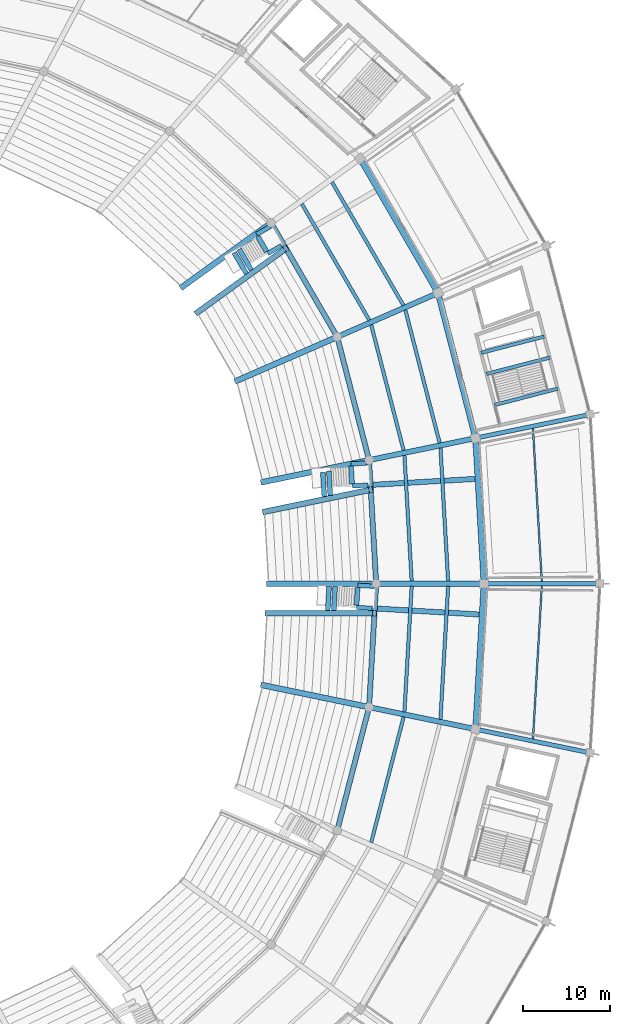
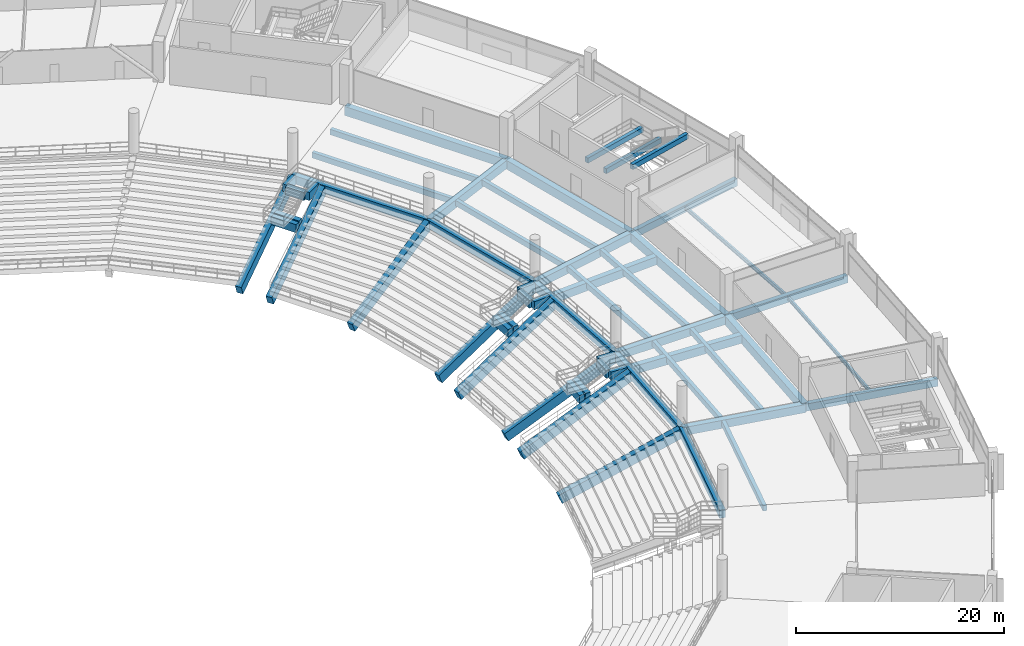
# One storey, part 58 of 156: 55 beams.
"""IFC4 building model written with IfcOpenShell, lengths in metres."""

import ifcopenshell
import ifcopenshell.guid

model = None  # the IFC model being written
_history = None  # IfcOwnerHistory: only IFC2X3 demands one
_inside = {}  # id of a spatial element -> (the spatial element, [elements in it])
_under = {}  # id of a project, library or spatial element -> (it, [spatial elements below it])
_declared = {}  # id of a project -> (the project, [libraries it declares])
_typed = {}  # id of a type object -> (the type object, [elements of that type])
_made_of = {}  # id of a material, layer set ... -> (it, [elements and type objects made of it])


def new_model(schema):
    """Start an empty IFC model of exactly this schema.

    Asked for "IFC4X3", IfcOpenShell would pick the latest addendum, in which some entities
    have other attributes; the version numbers below select the first issue.
    IFC2X3 requires an IfcOwnerHistory on every rooted entity: one is made here for all.
    """
    global model, _history
    if schema == "IFC4X3":
        model = ifcopenshell.file(schema_version=(4, 3, 0, 0))
    else:
        model = ifcopenshell.file(schema=schema)
    _inside.clear()
    _under.clear()
    _declared.clear()
    _typed.clear()
    _made_of.clear()
    _history = None
    if model.schema == "IFC2X3":
        org = make("IfcOrganization", Name="unknown")
        user = make(
            "IfcPersonAndOrganization",
            ThePerson=make("IfcPerson", FamilyName="unknown"),
            TheOrganization=org,
        )
        app = make(
            "IfcApplication",
            ApplicationDeveloper=org,
            Version="unknown",
            ApplicationFullName="unknown",
            ApplicationIdentifier="unknown",
        )
        _history = make(
            "IfcOwnerHistory",
            OwningUser=user,
            OwningApplication=app,
            ChangeAction="ADDED",
            CreationDate=0,
        )
    return model


def make(cls, **values):
    """One entity of the class cls with the attributes given. An attribute that is None is left unset."""
    return model.create_entity(
        cls, **{name: value for name, value in values.items() if value is not None}
    )


def rooted(cls, **values):
    """An entity with a GlobalId (a new one), such as an element, a storey or a relation."""
    return make(cls, GlobalId=ifcopenshell.guid.new(), OwnerHistory=_history, **values)


def si_unit(unit_type, name, prefix=None):
    """IfcSIUnit, for example si_unit("LENGTHUNIT", "METRE", prefix="MILLI")."""
    return make("IfcSIUnit", UnitType=unit_type, Prefix=prefix, Name=name)


def assignment(units):
    """IfcUnitAssignment: the units of a project."""
    return None if units is None else make("IfcUnitAssignment", Units=units)


def point(xyz):
    """IfcCartesianPoint."""
    return None if xyz is None else make("IfcCartesianPoint", Coordinates=xyz)


def direction(xyz):
    """IfcDirection."""
    return None if xyz is None else make("IfcDirection", DirectionRatios=xyz)


def frame(location, z_axis=None, x_axis=None):
    """IfcAxis2Placement3D, a coordinate frame: its origin and axes. An axis left out is left unset."""
    return make(
        "IfcAxis2Placement3D",
        Location=point(location),
        Axis=direction(z_axis),
        RefDirection=direction(x_axis),
    )


def frame_2d(location, x_axis=None):
    """IfcAxis2Placement2D, a coordinate frame in the plane: its origin and x axis."""
    return make(
        "IfcAxis2Placement2D", Location=point(location), RefDirection=direction(x_axis)
    )


def origin():
    """The frame at (0, 0, 0) with its axes left unset."""
    return frame((0.0, 0.0, 0.0))


def origin_2d():
    """The frame at (0, 0) in the plane with its x axis left unset."""
    return frame_2d((0.0, 0.0))


def place(relative_to, where):
    """IfcLocalPlacement: puts the frame where relative to a parent placement (None: the world)."""
    return make(
        "IfcLocalPlacement", PlacementRelTo=relative_to, RelativePlacement=where
    )


def context(
    kind, dimensions, precision=None, world=None, true_north=None, identifier=None
):
    """IfcGeometricRepresentationContext, for example the 3D "Model" context."""
    return make(
        "IfcGeometricRepresentationContext",
        ContextIdentifier=identifier,
        ContextType=kind,
        CoordinateSpaceDimension=dimensions,
        Precision=precision,
        WorldCoordinateSystem=world,
        TrueNorth=true_north,
    )


def subcontext(parent, identifier, kind, view, scale=None):
    """IfcGeometricRepresentationSubContext, for example "Body" below "Model"."""
    return make(
        "IfcGeometricRepresentationSubContext",
        ContextIdentifier=identifier,
        ContextType=kind,
        ParentContext=parent,
        TargetScale=scale,
        TargetView=view,
    )


def project(units=None, contexts=None):
    """IfcProject with its units and contexts."""
    return rooted(
        "IfcProject",
        Name="project",
        RepresentationContexts=contexts,
        UnitsInContext=assignment(units),
    )


def spatial(cls, under=None, at=None, **own):
    """A site, building, storey or space (cls), placed at a placement, below another one or the project."""
    s = rooted(cls, ObjectPlacement=at, **own)
    if under is not None:
        _under.setdefault(under.id(), (under, []))[1].append(s)
    return s


def profile(cls, at=None, kind="AREA", **sizes):
    """A parametric profile (cls). Its sizes go by their IFC names, for example OverallWidth=200.0."""
    return make(cls, ProfileType=kind, Position=at, **sizes)


def rectangle(**sizes):
    """IfcRectangleProfileDef."""
    return profile("IfcRectangleProfileDef", **sizes)


def i_section(**sizes):
    """IfcIShapeProfileDef."""
    return profile("IfcIShapeProfileDef", **sizes)


def extrude(swept, where, along, depth):
    """IfcExtrudedAreaSolid: the profile swept, set in the frame where, extruded along a direction by depth."""
    return make(
        "IfcExtrudedAreaSolid",
        SweptArea=swept,
        Position=where,
        ExtrudedDirection=direction(along),
        Depth=depth,
    )


def shape(context_of_items, identifier, shape_type, items):
    """IfcShapeRepresentation: the items that make up one representation, for example the "Body"."""
    return make(
        "IfcShapeRepresentation",
        ContextOfItems=context_of_items,
        RepresentationIdentifier=identifier,
        RepresentationType=shape_type,
        Items=items,
    )


def material(Name=None, Category=None):
    """IfcMaterial."""
    return make("IfcMaterial", Name=Name, Category=Category)


def material_profile(
    of_material, cross_section, Name=None, Category=None, Priority=None
):
    """IfcMaterialProfile: a cross section and its material."""
    return make(
        "IfcMaterialProfile",
        Name=Name,
        Material=of_material,
        Profile=cross_section,
        Priority=Priority,
        Category=Category,
    )


def profile_set(profiles, Name=None, composite=None):
    """IfcMaterialProfileSet."""
    return make(
        "IfcMaterialProfileSet",
        Name=Name,
        MaterialProfiles=profiles,
        CompositeProfile=composite,
    )


def made_of(thing, what):
    """Note that an element or type object is made of a material, layer set ...; save() writes the relation."""
    if what is not None:
        _made_of.setdefault(what.id(), (what, []))[1].append(thing)
    return thing


def type_object(cls, material=None, **own):
    """A type object (cls), such as IfcWallType, which elements share."""
    return made_of(rooted(cls, **own), material)


def element(
    cls,
    number,
    at=None,
    inside=None,
    cuts=None,
    type_object=None,
    material=None,
    context=None,
    identifier="Body",
    shape_type=None,
    held_by="IfcProductDefinitionShape",
    body=None,
    shapes=None,
    **own,
):
    """One element of the class cls, such as IfcWall. Its Tag is "e" and its number.

    at: its placement. inside: the storey or other place that contains it. cuts: it is an
    opening in that element (IfcRelVoidsElement). A single representation is given by context,
    identifier, shape_type and body (its items); several are given by shapes. held_by: the class
    of the entity that holds the representations. save() writes the other relations.
    """
    e = rooted(cls, Tag="e%d" % number, ObjectPlacement=at, **own)
    if body is not None:
        shapes = [shape(context, identifier, shape_type, body)]
    if shapes is not None:
        e.Representation = make(held_by, Representations=shapes)
    if inside is not None:
        _inside.setdefault(inside.id(), (inside, []))[1].append(e)
    if cuts is not None:
        rooted(
            "IfcRelVoidsElement", RelatingBuildingElement=cuts, RelatedOpeningElement=e
        )
    if type_object is not None:
        _typed.setdefault(type_object.id(), (type_object, []))[1].append(e)
    return made_of(e, material)


def aggregate(whole, parts):
    """IfcRelAggregates: a whole, such as a stair, and the parts it consists of."""
    return rooted("IfcRelAggregates", RelatingObject=whole, RelatedObjects=parts)


def save(model, path):
    """Write the relations noted so far, then the file.

    IfcRelAggregates (storeys below a building ...), IfcRelContainedInSpatialStructure (elements
    in a storey), IfcRelDefinesByType, IfcRelAssociatesMaterial and IfcRelDeclares: one each for
    every whole, place, type object, material and project.
    """
    for whole, parts in _under.values():
        aggregate(whole, parts)
    for where, things in _inside.values():
        rooted(
            "IfcRelContainedInSpatialStructure",
            RelatedElements=things,
            RelatingStructure=where,
        )
    for kind, things in _typed.values():
        rooted("IfcRelDefinesByType", RelatedObjects=things, RelatingType=kind)
    for what, things in _made_of.values():
        rooted("IfcRelAssociatesMaterial", RelatedObjects=things, RelatingMaterial=what)
    for by, libraries in _declared.values():
        rooted("IfcRelDeclares", RelatingContext=by, RelatedDefinitions=libraries)
    model.write(path)


model = new_model("IFC4")

# Units and contexts
model_context = context("Model", 3, precision=1e-05, world=origin(), true_north=direction((0.0, 1.0)))
body_context = subcontext(model_context, "Body", "Model", "MODEL_VIEW")
ifc_project = project(units=[si_unit("LENGTHUNIT", "METRE"), si_unit("AREAUNIT", "SQUARE_METRE"), si_unit("VOLUMEUNIT", "CUBIC_METRE"), si_unit("PLANEANGLEUNIT", "RADIAN"), si_unit("MASSUNIT", "GRAM", prefix="KILO")], contexts=[model_context])

# Site, building, storey
site_placement = place(None, origin())
site = spatial("IfcSite", under=ifc_project, at=site_placement, CompositionType="ELEMENT")
building_placement = place(site_placement, origin())
building = spatial("IfcBuilding", under=site, at=building_placement, Name="Kazemori Nagisa Stadium", CompositionType="ELEMENT")
storey_placement = place(building_placement, frame((0.0, 0.0, 5.780029296875)))
storey = spatial("IfcBuildingStorey", under=building, at=storey_placement, Name="L01", CompositionType="ELEMENT", Elevation=5.780029296875)

# Beams
ifc_material_1 = material(Name="Concrete C40/50 (Fc42)", Category="concrete")
ifc_material_profile_1 = material_profile(ifc_material_1, rectangle(XDim=0.39990234375, YDim=0.60009765625, at=origin_2d()), Name="RC-BM-400x600")
ifc_profile_set_1 = profile_set([ifc_material_profile_1], Name="Concrete C40/50 (Fc42)")
beam_type_1 = type_object("IfcBeamType", Name="Beam_BG-LND400X600", PredefinedType="BEAM", material=ifc_profile_set_1)
beam_1_placement = place(storey_placement, frame((205.001953125, 126.04150390625, 1.8798828125), z_axis=(0.968260482475, 0.249943269717, 0.0), x_axis=(-0.249943269717, 0.968260482475, 0.0)))
element("IfcBeam", 1, at=beam_1_placement, inside=storey, type_object=beam_type_1, Name="Core stair mid-landing girder ST07-L01-1", PredefinedType="BEAM", context=body_context, shape_type="SweptSolid", body=[
    extrude(rectangle(XDim=0.39990234375, YDim=0.60009765625, at=origin_2d()), origin(), (0.0, 0.0, 1.0), 7.468505859375),
])
beam_2_placement = place(storey_placement, frame((204.377197265625, 128.462158203125, 1.8798828125), z_axis=(0.968258440217, 0.24995118113, 0.0), x_axis=(-0.24995118113, 0.968258440217, 0.0)))
element("IfcBeam", 2, at=beam_2_placement, inside=storey, type_object=beam_type_1, Name="Core stair mid-landing girder ST07-L01-2", PredefinedType="BEAM", context=body_context, shape_type="SweptSolid", body=[
    extrude(rectangle(XDim=0.39990234375, YDim=0.60009765625, at=origin_2d()), origin(), (0.0, 0.0, 1.0), 7.46826171875),
])
beam_3_placement = place(storey_placement, frame((205.920654296875, 122.483154296875, 4.199951171875), z_axis=(0.968252570883, 0.249973916595, 0.0), x_axis=(-0.249973916595, 0.968252570883, 0.0)))
element("IfcBeam", 3, at=beam_3_placement, inside=storey, type_object=beam_type_1, Name="Core stair arrival header girder ST07-L01", PredefinedType="BEAM", context=body_context, shape_type="SweptSolid", body=[
    extrude(rectangle(XDim=0.39990234375, YDim=0.60009765625, at=origin_2d()), origin(), (0.0, 0.0, 1.0), 7.468505859375),
])
ifc_material_profile_2 = material_profile(ifc_material_1, rectangle(XDim=0.5, YDim=0.85009765625, at=origin_2d()), Name="RC-BM-500x850")
ifc_profile_set_2 = profile_set([ifc_material_profile_2], Name="Concrete C40/50 (Fc42)")
beam_type_2 = type_object("IfcBeamType", Name="Beam_BG-RC500X850", PredefinedType="BEAM", material=ifc_profile_set_2)
beam_4_placement = place(storey_placement, frame((204.699951171875, 102.0, -0.705078125), z_axis=(1.0, 0.0, 0.0), x_axis=(0.0, 1.0, 0.0)))
element("IfcBeam", 4, at=beam_4_placement, inside=storey, type_object=beam_type_2, Name="Radial girder BG-RC500X850 L01 R2-R3-01", PredefinedType="BEAM", context=body_context, shape_type="SweptSolid", body=[
    extrude(rectangle(XDim=0.5, YDim=0.85009765625, at=origin_2d()), origin(), (0.0, 0.0, 1.0), 13.300048828125),
])
for number, where, z_axis, x_axis, name in (
    (5, (203.737548828125, 118.68212890625, -0.705078125), (0.979315516463, 0.202339119339, 0.0), (-0.202339119339, 0.979315516463, 0.0), "Radial girder BG-RC500X850 L01 R2-R3-02"),
    (6, (203.737548828125, 85.31787109375, -0.705078125), (0.979315516463, -0.202339119339, 0.0), (0.202339119339, 0.979315516463, 0.0), "Radial girder BG-RC500X850 L01 R2-R3-28"),
):
    element("IfcBeam", number, at=place(storey_placement, frame(where, z_axis=z_axis, x_axis=x_axis)), inside=storey, type_object=beam_type_2, Name=name, PredefinedType="BEAM", context=body_context, shape_type="SweptSolid", body=[
        extrude(rectangle(XDim=0.5, YDim=0.85009765625, at=origin_2d()), origin(), (0.0, 0.0, 1.0), 13.4208984375),
    ])
ifc_material_profile_3 = material_profile(ifc_material_1, rectangle(XDim=0.60009765625, YDim=0.949951171875, at=origin_2d()), Name="RC-BM-600x950")
ifc_profile_set_3 = profile_set([ifc_material_profile_3], Name="Concrete C40/50 (Fc42)")
beam_type_3 = type_object("IfcBeamType", Name="Beam_BG-RC600X950", PredefinedType="BEAM", material=ifc_profile_set_3)
beam_5_placement = place(storey_placement, frame((192.35009765625, 102.0, -0.755126953125), z_axis=(-0.057610061423, 0.998339161219, 0.0), x_axis=(-0.998339161219, -0.057610061423, 0.0)))
element("IfcBeam", 7, at=beam_5_placement, inside=storey, type_object=beam_type_3, Name="Ring girder BG-RC600X950 L01 R1-01", PredefinedType="BEAM", context=body_context, shape_type="SweptSolid", body=[
    extrude(rectangle(XDim=0.60009765625, YDim=0.949951171875, at=origin_2d()), origin(), (0.0, 0.0, 1.0), 14.183837890625),
])
beam_6_placement = place(storey_placement, frame((191.532958984375, 116.160400390625, -0.755126953125), z_axis=(-0.249966077383, 0.9682545947, 0.0), x_axis=(-0.9682545947, -0.249966077383, 0.0)))
element("IfcBeam", 8, at=beam_6_placement, inside=storey, type_object=beam_type_3, Name="Ring girder BG-RC600X950 L01 R1-02", PredefinedType="BEAM", context=body_context, shape_type="SweptSolid", body=[
    extrude(rectangle(XDim=0.60009765625, YDim=0.949951171875, at=origin_2d()), origin(), (0.0, 0.0, 1.0), 14.58984375),
])
beam_7_placement = place(storey_placement, frame((187.885986328125, 130.287109375, -0.755126953125), z_axis=(-0.501613453924, 0.865091869597, 0.0), x_axis=(-0.865091869597, -0.501613453924, 0.0)))
element("IfcBeam", 9, at=beam_7_placement, inside=storey, type_object=beam_type_3, Name="Ring girder BG-RC600X950 L01 R1-03", PredefinedType="BEAM", context=body_context, shape_type="SweptSolid", body=[
    extrude(rectangle(XDim=0.60009765625, YDim=0.949951171875, at=origin_2d()), origin(), (0.0, 0.0, 1.0), 15.1201171875),
])
beam_8_placement = place(storey_placement, frame((187.885986328125, 73.712890625, -0.755126953125), z_axis=(0.249966077383, 0.9682545947, 0.0), x_axis=(-0.9682545947, 0.249966077383, 0.0)))
element("IfcBeam", 10, at=beam_8_placement, inside=storey, type_object=beam_type_3, Name="Ring girder BG-RC600X950 L01 R1-27", PredefinedType="BEAM", context=body_context, shape_type="SweptSolid", body=[
    extrude(rectangle(XDim=0.60009765625, YDim=0.949951171875, at=origin_2d()), origin(), (0.0, 0.0, 1.0), 14.58984375),
])
beam_9_placement = place(storey_placement, frame((191.532958984375, 87.839599609375, -0.755126953125), z_axis=(0.057610061423, 0.998339161219, 0.0), x_axis=(-0.998339161219, 0.057610061423, 0.0)))
element("IfcBeam", 11, at=beam_9_placement, inside=storey, type_object=beam_type_3, Name="Ring girder BG-RC600X950 L01 R1-28", PredefinedType="BEAM", context=body_context, shape_type="SweptSolid", body=[
    extrude(rectangle(XDim=0.60009765625, YDim=0.949951171875, at=origin_2d()), origin(), (0.0, 0.0, 1.0), 14.183837890625),
])
beam_10_placement = place(storey_placement, frame((192.35009765625, 102.0, -0.755126953125), z_axis=(1.0, 0.0, 0.0), x_axis=(0.0, 1.0, 0.0)))
element("IfcBeam", 12, at=beam_10_placement, inside=storey, type_object=beam_type_3, Name="Radial girder BG-RC600X950 L01 R1-R2-01", PredefinedType="BEAM", context=body_context, shape_type="SweptSolid", body=[
    extrude(rectangle(XDim=0.60009765625, YDim=0.949951171875, at=origin_2d()), origin(), (0.0, 0.0, 1.0), 12.349853515625),
])
beam_11_placement = place(storey_placement, frame((191.532958984375, 116.160400390625, -0.755126953125), z_axis=(0.979313861938, 0.202347127025, 0.0), x_axis=(-0.202347127025, 0.979313861938, 0.0)))
element("IfcBeam", 13, at=beam_11_placement, inside=storey, type_object=beam_type_3, Name="Radial girder BG-RC600X950 L01 R1-R2-02", PredefinedType="BEAM", context=body_context, shape_type="SweptSolid", body=[
    extrude(rectangle(XDim=0.60009765625, YDim=0.949951171875, at=origin_2d()), origin(), (0.0, 0.0, 1.0), 12.46240234375),
])
beam_12_placement = place(storey_placement, frame((187.885986328125, 130.287109375, -0.755126953125), z_axis=(0.916671768981, 0.399640923771, 0.0), x_axis=(-0.399640923771, 0.916671768981, 0.0)))
element("IfcBeam", 14, at=beam_12_placement, inside=storey, type_object=beam_type_3, Name="Radial girder BG-RC600X950 L01 R1-R2-03", PredefinedType="BEAM", context=body_context, shape_type="SweptSolid", body=[
    extrude(rectangle(XDim=0.60009765625, YDim=0.949951171875, at=origin_2d()), origin(), (0.0, 0.0, 1.0), 12.605224609375),
])
beam_13_placement = place(storey_placement, frame((191.532958984375, 87.839599609375, -0.755126953125), z_axis=(0.979313861938, -0.202347127025, 0.0), x_axis=(0.202347127025, 0.979313861938, 0.0)))
element("IfcBeam", 15, at=beam_13_placement, inside=storey, type_object=beam_type_3, Name="Radial girder BG-RC600X950 L01 R1-R2-28", PredefinedType="BEAM", context=body_context, shape_type="SweptSolid", body=[
    extrude(rectangle(XDim=0.60009765625, YDim=0.949951171875, at=origin_2d()), origin(), (0.0, 0.0, 1.0), 12.46240234375),
])
beam_14_placement = place(storey_placement, frame((191.99169921875, 113.33203125, -0.755126953125), z_axis=(0.998339826248, 0.057598535803, 0.0), x_axis=(-0.057598535803, 0.998339826248, 0.0)))
element("IfcBeam", 16, at=beam_14_placement, inside=storey, type_object=beam_type_3, Name="Lower vomitory right backspan girder B01", PredefinedType="BEAM", context=body_context, shape_type="SweptSolid", body=[
    extrude(rectangle(XDim=0.60009765625, YDim=0.949951171875, at=origin_2d()), origin(), (0.0, 0.0, 1.0), 11.694580078125),
])
beam_15_placement = place(storey_placement, frame((192.480224609375, 99.1376953125, -0.755126953125), z_axis=(0.998339895506, -0.057597335362, 0.0), x_axis=(0.057597335362, 0.998339895506, 0.0)))
element("IfcBeam", 17, at=beam_15_placement, inside=storey, type_object=beam_type_3, Name="Lower vomitory right backspan girder B28", PredefinedType="BEAM", context=body_context, shape_type="SweptSolid", body=[
    extrude(rectangle(XDim=0.60009765625, YDim=0.949951171875, at=origin_2d()), origin(), (0.0, 0.0, 1.0), 11.69482421875),
])
ifc_material_profile_4 = material_profile(ifc_material_1, rectangle(XDim=0.64990234375, YDim=1.050048828125, at=origin_2d()), Name="RC-BM-650x1050")
ifc_profile_set_4 = profile_set([ifc_material_profile_4], Name="Concrete C40/50 (Fc42)")
beam_type_4 = type_object("IfcBeamType", Name="Beam_BG-RC650X1050", PredefinedType="BEAM", material=ifc_profile_set_4)
beam_16_placement = place(storey_placement, frame((204.699951171875, 102.0, -0.804931640625), z_axis=(-0.057594854854, 0.998340038611, 0.0), x_axis=(-0.998340038611, -0.057594854854, 0.0)))
element("IfcBeam", 18, at=beam_16_placement, inside=storey, type_object=beam_type_4, Name="Ring girder BG-RC650X1050 L01 R2-01", PredefinedType="BEAM", context=body_context, shape_type="SweptSolid", body=[
    extrude(rectangle(XDim=0.64990234375, YDim=1.050048828125, at=origin_2d()), origin(), (0.0, 0.0, 1.0), 16.7099609375),
])
beam_17_placement = place(storey_placement, frame((203.737548828125, 118.68212890625, -0.804931640625), z_axis=(-0.249974673676, 0.968252375427, 0.0), x_axis=(-0.968252375427, -0.249974673676, 0.0)))
element("IfcBeam", 19, at=beam_17_placement, inside=storey, type_object=beam_type_4, Name="Ring girder BG-RC650X1050 L01 R2-02", PredefinedType="BEAM", context=body_context, shape_type="SweptSolid", body=[
    extrude(rectangle(XDim=0.64990234375, YDim=1.050048828125, at=origin_2d()), origin(), (0.0, 0.0, 1.0), 17.188232421875),
])
beam_18_placement = place(storey_placement, frame((199.44091796875, 135.32470703125, -0.804931640625), z_axis=(-0.501606704589, 0.865095783085, 0.0), x_axis=(-0.865095783085, -0.501606704589, 0.0)))
element("IfcBeam", 20, at=beam_18_placement, inside=storey, type_object=beam_type_4, Name="Ring girder BG-RC650X1050 L01 R2-03", PredefinedType="BEAM", context=body_context, shape_type="SweptSolid", body=[
    extrude(rectangle(XDim=0.64990234375, YDim=1.050048828125, at=origin_2d()), origin(), (0.0, 0.0, 1.0), 17.8125),
])
beam_19_placement = place(storey_placement, frame((203.737548828125, 85.31787109375, -0.804931640625), z_axis=(0.057594854854, 0.998340038611, 0.0), x_axis=(-0.998340038611, 0.057594854854, 0.0)))
element("IfcBeam", 21, at=beam_19_placement, inside=storey, type_object=beam_type_4, Name="Ring girder BG-RC650X1050 L01 R2-28", PredefinedType="BEAM", context=body_context, shape_type="SweptSolid", body=[
    extrude(rectangle(XDim=0.64990234375, YDim=1.050048828125, at=origin_2d()), origin(), (0.0, 0.0, 1.0), 16.7099609375),
])
ifc_material_profile_5 = material_profile(ifc_material_1, rectangle(XDim=0.5, YDim=0.949951171875, at=origin_2d()), Name="RC-BM-500x950")
ifc_profile_set_5 = profile_set([ifc_material_profile_5], Name="Concrete C40/50 (Fc42)")
beam_type_5 = type_object("IfcBeamType", Name="Beam_BG-TR500X950", PredefinedType="BEAM", material=ifc_profile_set_5)
for number, where, z_axis, x_axis, name in (
    (22, (189.454345703125, 115.72998046875, -0.695068359375), (0.998346366858, 0.057485057027, 0.0), (-0.057485057027, 0.998346366858, 0.0), "Lower vomitory left trimmer girder B01"),
    (23, (189.6005859375, 113.194091796875, -0.695068359375), (0.998338595305, 0.057619867443, 0.0), (-0.057619867443, 0.998338595305, 0.0), "Lower vomitory right trimmer girder B01"),
    (24, (178.640380859375, 142.0458984375, -0.695068359375), (0.865129794508, 0.50154804222, 0.0), (-0.50154804222, 0.865129794508, 0.0), "Lower vomitory left trimmer girder B03"),
):
    element("IfcBeam", number, at=place(storey_placement, frame(where, z_axis=z_axis, x_axis=x_axis)), inside=storey, type_object=beam_type_5, Name=name, PredefinedType="BEAM", context=body_context, shape_type="SweptSolid", body=[
        extrude(rectangle(XDim=0.5, YDim=0.949951171875, at=origin_2d()), origin(), (0.0, 0.0, 1.0), 1.804931640625),
    ])
beam_20_placement = place(storey_placement, frame((179.91455078125, 139.848388671875, -0.695068359375), z_axis=(0.865071102228, 0.501649268005, 0.0), x_axis=(-0.501649268005, 0.865071102228, 0.0)))
element("IfcBeam", 25, at=beam_20_placement, inside=storey, type_object=beam_type_5, Name="Lower vomitory right trimmer girder B03", PredefinedType="BEAM", context=body_context, shape_type="SweptSolid", body=[
    extrude(rectangle(XDim=0.5, YDim=0.949951171875, at=origin_2d()), origin(), (0.0, 0.0, 1.0), 1.80517578125),
])
for number, where, z_axis, x_axis, name in (
    (26, (190.235595703125, 101.8115234375, -0.695068359375), (0.998338595305, -0.057619867443, 0.0), (0.057619867443, 0.998338595305, 0.0), "Lower vomitory left trimmer girder B28"),
    (27, (190.08935546875, 99.275634765625, -0.695068359375), (0.998338595305, -0.057619867443, 0.0), (0.057619867443, 0.998338595305, 0.0), "Lower vomitory right trimmer girder B28"),
):
    element("IfcBeam", number, at=place(storey_placement, frame(where, z_axis=z_axis, x_axis=x_axis)), inside=storey, type_object=beam_type_5, Name=name, PredefinedType="BEAM", context=body_context, shape_type="SweptSolid", body=[
        extrude(rectangle(XDim=0.5, YDim=0.949951171875, at=origin_2d()), origin(), (0.0, 0.0, 1.0), 1.804931640625),
    ])
ifc_material_profile_6 = material_profile(ifc_material_1, rectangle(XDim=0.550048828125, YDim=0.949951171875, at=origin_2d()), Name="RC-BM-550x950")
ifc_profile_set_6 = profile_set([ifc_material_profile_6], Name="Concrete C40/50 (Fc42)")
beam_type_6 = type_object("IfcBeamType", Name="Beam_BG-TR550X950", PredefinedType="BEAM", material=ifc_profile_set_6)
for number, where, z_axis, x_axis, name in (
    (28, (189.468505859375, 115.4853515625, -0.695068359375), (0.057521208334, -0.998344284599, 0.0), (0.998344284599, 0.057521208334, 0.0), "Lower vomitory portal header girder B01"),
    (29, (178.763427734375, 141.833984375, -0.695068359375), (0.501618278158, -0.865089072303, 0.0), (0.865089072303, 0.501618278158, 0.0), "Lower vomitory portal header girder B03"),
    (30, (190.221435546875, 101.56689453125, -0.695068359375), (-0.057521208334, -0.998344284599, 0.0), (0.998344284599, -0.057521208334, 0.0), "Lower vomitory portal header girder B28"),
):
    element("IfcBeam", number, at=place(storey_placement, frame(where, z_axis=z_axis, x_axis=x_axis)), inside=storey, type_object=beam_type_6, Name=name, PredefinedType="BEAM", context=body_context, shape_type="SweptSolid", body=[
        extrude(rectangle(XDim=0.550048828125, YDim=0.949951171875, at=origin_2d()), origin(), (0.0, 0.0, 1.0), 2.050048828125),
    ])
beam_21_placement = place(storey_placement, frame((187.08349609375, 112.119384765625, -2.135009765625), z_axis=(-0.05761000106, 0.998339164702, 0.0), x_axis=(-0.998339164702, -0.05761000106, 0.0)))
element("IfcBeam", 31, at=beam_21_placement, inside=storey, type_object=beam_type_6, Name="Vomitory landing cross-beam VL01-1", PredefinedType="BEAM", context=body_context, shape_type="SweptSolid", body=[
    extrude(rectangle(XDim=0.550048828125, YDim=0.949951171875, at=origin_2d()), origin(), (0.0, 0.0, 1.0), 2.780029296875),
])
for number, where, z_axis, x_axis, name in (
    (32, (186.39453125, 111.97705078125, -2.135009765625), (-0.057615052416, 0.998338873196, 0.0), (-0.998338873196, -0.057615052416, 0.0), "Vomitory landing cross-beam VL01-2"),
    (33, (178.042236328125, 137.9443359375, -2.135009765625), (-0.501586644046, 0.865107414437, 0.0), (-0.865107414437, -0.501586644046, 0.0), "Vomitory landing cross-beam VL02-1"),
):
    element("IfcBeam", number, at=place(storey_placement, frame(where, z_axis=z_axis, x_axis=x_axis)), inside=storey, type_object=beam_type_6, Name=name, PredefinedType="BEAM", context=body_context, shape_type="SweptSolid", body=[
        extrude(rectangle(XDim=0.550048828125, YDim=0.949951171875, at=origin_2d()), origin(), (0.0, 0.0, 1.0), 2.77978515625),
    ])
beam_22_placement = place(storey_placement, frame((177.47509765625, 137.53466796875, -2.135009765625), z_axis=(-0.501510431776, 0.865151597594, 0.0), x_axis=(-0.865151597594, -0.501510431776, 0.0)))
element("IfcBeam", 34, at=beam_22_placement, inside=storey, type_object=beam_type_6, Name="Vomitory landing cross-beam VL02-2", PredefinedType="BEAM", context=body_context, shape_type="SweptSolid", body=[
    extrude(rectangle(XDim=0.550048828125, YDim=0.949951171875, at=origin_2d()), origin(), (0.0, 0.0, 1.0), 2.7802734375),
])
for number, where, z_axis, x_axis, name in (
    (35, (187.489501953125, 98.9150390625, -2.135009765625), (0.05761000106, 0.998339164702, 0.0), (-0.998339164702, 0.05761000106, 0.0), "Vomitory landing cross-beam VL12-1"),
    (36, (186.792236328125, 98.9150390625, -2.135009765625), (0.05761000106, 0.998339164702, 0.0), (-0.998339164702, 0.05761000106, 0.0), "Vomitory landing cross-beam VL12-2"),
):
    element("IfcBeam", number, at=place(storey_placement, frame(where, z_axis=z_axis, x_axis=x_axis)), inside=storey, type_object=beam_type_6, Name=name, PredefinedType="BEAM", context=body_context, shape_type="SweptSolid", body=[
        extrude(rectangle(XDim=0.550048828125, YDim=0.949951171875, at=origin_2d()), origin(), (0.0, 0.0, 1.0), 2.780029296875),
    ])
ifc_material_2 = material(Name="Steel SN490B", Category="steel")
ifc_material_profile_7 = material_profile(ifc_material_2, i_section(OverallWidth=0.199951171875, OverallDepth=0.449951171875, WebThickness=0.009033203125, FlangeThickness=0.013916015625, FilletRadius=0.012939453125, at=origin_2d()), Name="H-450x200x9x14")
ifc_profile_set_7 = profile_set([ifc_material_profile_7], Name="Steel SN490B")
beam_type_7 = type_object("IfcBeamType", Name="Beam_BJ-H450", PredefinedType="JOIST", material=ifc_profile_set_7)
for number, where, z_axis, x_axis, name in (
    (37, (211.3359375, 102.24462890625, -0.505126953125), (-0.057605851522, 0.998339404146, 0.0), (-0.998339404146, -0.057605851522, 0.0), "Outer bay joist BJ-H450 L01 B01"),
    (38, (210.3232421875, 84.204833984375, -0.505126953125), (0.057605851522, 0.998339404146, 0.0), (-0.998339404146, 0.057605851522, 0.0), "Outer bay joist BJ-H450 L01 B28"),
):
    element("IfcBeam", number, at=place(storey_placement, frame(where, z_axis=z_axis, x_axis=x_axis)), inside=storey, type_object=beam_type_7, Name=name, PredefinedType="JOIST", context=body_context, shape_type="SweptSolid", body=[
        extrude(i_section(OverallWidth=0.199951171875, OverallDepth=0.449951171875, WebThickness=0.009033203125, FlangeThickness=0.013916015625, FilletRadius=0.012939453125, at=origin_2d()), origin(), (0.0, 0.0, 1.0), 17.579833984375),
    ])
ifc_material_profile_8 = material_profile(ifc_material_1, rectangle(XDim=0.39990234375, YDim=0.64990234375, at=origin_2d()), Name="RC-BM-400x650")
ifc_profile_set_8 = profile_set([ifc_material_profile_8], Name="Concrete C40/50 (Fc42)")
beam_type_8 = type_object("IfcBeamType", Name="Beam_BJ-RC400X650", PredefinedType="JOIST", material=ifc_profile_set_8)
beam_23_placement = place(storey_placement, frame((196.41796875, 102.29443359375, -0.60498046875), z_axis=(-0.057594265016, 0.998340072639, 0.0), x_axis=(-0.998340072639, -0.057594265016, 0.0)))
element("IfcBeam", 39, at=beam_23_placement, inside=storey, type_object=beam_type_8, Name="Concourse joist BJ-RC400X650 L01 B01-1", PredefinedType="JOIST", context=body_context, shape_type="SweptSolid", body=[
    extrude(rectangle(XDim=0.39990234375, YDim=0.64990234375, at=origin_2d()), origin(), (0.0, 0.0, 1.0), 14.429443359375),
])
beam_24_placement = place(storey_placement, frame((200.597900390625, 102.29443359375, -0.60498046875), z_axis=(-0.057599290514, 0.998339782705, 0.0), x_axis=(-0.998339782705, -0.057599290514, 0.0)))
element("IfcBeam", 40, at=beam_24_placement, inside=storey, type_object=beam_type_8, Name="Concourse joist BJ-RC400X650 L01 B01-2", PredefinedType="JOIST", context=body_context, shape_type="SweptSolid", body=[
    extrude(rectangle(XDim=0.39990234375, YDim=0.64990234375, at=origin_2d()), origin(), (0.0, 0.0, 1.0), 15.284423828125),
])
beam_25_placement = place(storey_placement, frame((195.49609375, 117.280029296875, -0.60498046875), z_axis=(-0.24996646764, 0.968254493951, 0.0), x_axis=(-0.968254493951, -0.24996646764, 0.0)))
element("IfcBeam", 41, at=beam_25_placement, inside=storey, type_object=beam_type_8, Name="Concourse joist BJ-RC400X650 L01 B02-1", PredefinedType="JOIST", context=body_context, shape_type="SweptSolid", body=[
    extrude(rectangle(XDim=0.39990234375, YDim=0.64990234375, at=origin_2d()), origin(), (0.0, 0.0, 1.0), 14.859375),
])
beam_26_placement = place(storey_placement, frame((199.626953125, 118.133544921875, -0.60498046875), z_axis=(-0.24997419154, 0.968252499901, 0.0), x_axis=(-0.968252499901, -0.24997419154, 0.0)))
element("IfcBeam", 42, at=beam_26_placement, inside=storey, type_object=beam_type_8, Name="Concourse joist BJ-RC400X650 L01 B02-2", PredefinedType="JOIST", context=body_context, shape_type="SweptSolid", body=[
    extrude(rectangle(XDim=0.39990234375, YDim=0.64990234375, at=origin_2d()), origin(), (0.0, 0.0, 1.0), 15.739013671875),
])
beam_27_placement = place(storey_placement, frame((191.56005859375, 132.20849609375, -0.60498046875), z_axis=(-0.501607199617, 0.865095496054, 0.0), x_axis=(-0.865095496054, -0.501607199617, 0.0)))
element("IfcBeam", 43, at=beam_27_placement, inside=storey, type_object=beam_type_8, Name="Concourse joist BJ-RC400X650 L01 B03-1", PredefinedType="JOIST", context=body_context, shape_type="SweptSolid", body=[
    extrude(rectangle(XDim=0.39990234375, YDim=0.64990234375, at=origin_2d()), origin(), (0.0, 0.0, 1.0), 15.420654296875),
])
beam_28_placement = place(storey_placement, frame((195.470947265625, 133.91357421875, -0.60498046875), z_axis=(-0.501604213872, 0.865097227268, 0.0), x_axis=(-0.865097227268, -0.501604213872, 0.0)))
element("IfcBeam", 44, at=beam_28_placement, inside=storey, type_object=beam_type_8, Name="Concourse joist BJ-RC400X650 L01 B03-2", PredefinedType="JOIST", context=body_context, shape_type="SweptSolid", body=[
    extrude(rectangle(XDim=0.39990234375, YDim=0.64990234375, at=origin_2d()), origin(), (0.0, 0.0, 1.0), 16.331787109375),
])
beam_29_placement = place(storey_placement, frame((191.78173828125, 72.332275390625, -0.60498046875), z_axis=(0.24996646764, 0.968254493951, 0.0), x_axis=(-0.968254493951, 0.24996646764, 0.0)))
element("IfcBeam", 45, at=beam_29_placement, inside=storey, type_object=beam_type_8, Name="Concourse joist BJ-RC400X650 L01 B27-1", PredefinedType="JOIST", context=body_context, shape_type="SweptSolid", body=[
    extrude(rectangle(XDim=0.39990234375, YDim=0.64990234375, at=origin_2d()), origin(), (0.0, 0.0, 1.0), 14.859375),
])
beam_30_placement = place(storey_placement, frame((195.5869140625, 87.300048828125, -0.60498046875), z_axis=(0.057594265016, 0.998340072639, 0.0), x_axis=(-0.998340072639, 0.057594265016, 0.0)))
element("IfcBeam", 46, at=beam_30_placement, inside=storey, type_object=beam_type_8, Name="Concourse joist BJ-RC400X650 L01 B28-1", PredefinedType="JOIST", context=body_context, shape_type="SweptSolid", body=[
    extrude(rectangle(XDim=0.39990234375, YDim=0.64990234375, at=origin_2d()), origin(), (0.0, 0.0, 1.0), 14.429443359375),
])
beam_31_placement = place(storey_placement, frame((199.717529296875, 86.446533203125, -0.60498046875), z_axis=(0.057599290514, 0.998339782705, 0.0), x_axis=(-0.998339782705, 0.057599290514, 0.0)))
element("IfcBeam", 47, at=beam_31_placement, inside=storey, type_object=beam_type_8, Name="Concourse joist BJ-RC400X650 L01 B28-2", PredefinedType="JOIST", context=body_context, shape_type="SweptSolid", body=[
    extrude(rectangle(XDim=0.39990234375, YDim=0.64990234375, at=origin_2d()), origin(), (0.0, 0.0, 1.0), 15.284423828125),
])
ifc_material_profile_9 = material_profile(ifc_material_1, rectangle(XDim=0.64990234375, YDim=1.10009765625, at=origin_2d()), Name="RC-RK-650x1100")
ifc_profile_set_9 = profile_set([ifc_material_profile_9], Name="Concrete C40/50 (Fc42)")
beam_type_9 = type_object("IfcBeamType", Name="Beam_RK-RC650X1100", PredefinedType="USERDEFINED", material=ifc_profile_set_9)
beam_32_placement = place(storey_placement, frame((180.0, 102.0, -5.97998046875), z_axis=(0.922970005148, 0.0, 0.384871887253), x_axis=(0.0, 1.0, 0.0)))
element("IfcBeam", 48, at=beam_32_placement, inside=storey, type_object=beam_type_9, Name="Raker beam lower RK1-01", ObjectType="RAKER BEAM", PredefinedType="USERDEFINED", context=body_context, shape_type="SweptSolid", body=[
    extrude(rectangle(XDim=0.64990234375, YDim=1.10009765625, at=origin_2d()), origin(), (0.0, 0.0, 1.0), 13.380859375),
])
beam_33_placement = place(storey_placement, frame((179.328369140625, 113.638671875, -5.97998046875), z_axis=(0.90508066658, 0.187008965895, 0.38191181398), x_axis=(-0.202347127025, 0.979313861938, 0.0)))
element("IfcBeam", 49, at=beam_33_placement, inside=storey, type_object=beam_type_9, Name="Raker beam lower RK1-02", ObjectType="RAKER BEAM", PredefinedType="USERDEFINED", context=body_context, shape_type="SweptSolid", body=[
    extrude(rectangle(XDim=0.64990234375, YDim=1.10009765625, at=origin_2d()), origin(), (0.0, 0.0, 1.0), 13.484619140625),
])
beam_34_placement = place(storey_placement, frame((176.3310546875, 125.249755859375, -5.97998046875), z_axis=(0.848589087357, 0.369941022194, 0.378206558531), x_axis=(-0.399624648835, 0.916678864185, 0.0)))
element("IfcBeam", 50, at=beam_34_placement, inside=storey, type_object=beam_type_9, Name="Raker beam lower RK1-03", ObjectType="RAKER BEAM", PredefinedType="USERDEFINED", context=body_context, shape_type="SweptSolid", body=[
    extrude(rectangle(XDim=0.64990234375, YDim=1.10009765625, at=origin_2d()), origin(), (0.0, 0.0, 1.0), 13.61669921875),
])
beam_35_placement = place(storey_placement, frame((170.09716796875, 136.00048828125, -5.97998046875), z_axis=(0.75039658513, 0.541742635985, 0.378708174432), x_axis=(-0.58534110289, 0.810787144242, 0.0)))
element("IfcBeam", 51, at=beam_35_placement, inside=storey, type_object=beam_type_9, Name="Raker beam lower RK1-04", ObjectType="RAKER BEAM", PredefinedType="USERDEFINED", context=body_context, shape_type="SweptSolid", body=[
    extrude(rectangle(XDim=0.64990234375, YDim=1.10009765625, at=origin_2d()), origin(), (0.0, 0.0, 1.0), 13.5986328125),
])
beam_36_placement = place(storey_placement, frame((179.328369140625, 90.361328125, -5.97998046875), z_axis=(0.90508066658, -0.187008965895, 0.38191181398), x_axis=(0.202347127025, 0.979313861938, 0.0)))
element("IfcBeam", 52, at=beam_36_placement, inside=storey, type_object=beam_type_9, Name="Raker beam lower RK1-28", ObjectType="RAKER BEAM", PredefinedType="USERDEFINED", context=body_context, shape_type="SweptSolid", body=[
    extrude(rectangle(XDim=0.64990234375, YDim=1.10009765625, at=origin_2d()), origin(), (0.0, 0.0, 1.0), 13.484619140625),
])
beam_37_placement = place(storey_placement, frame((179.5244140625, 110.244140625, -5.97998046875), z_axis=(0.905077392549, 0.187012030399, 0.381918072344), x_axis=(-0.202351009117, 0.979313059807, 0.0)))
element("IfcBeam", 53, at=beam_37_placement, inside=storey, type_object=beam_type_9, Name="Raker beam lower vomitory cheek RK1V-01", ObjectType="RAKER BEAM", PredefinedType="USERDEFINED", context=body_context, shape_type="SweptSolid", body=[
    extrude(rectangle(XDim=0.64990234375, YDim=1.10009765625, at=origin_2d()), origin(), (0.0, 0.0, 1.0), 13.484375),
])
beam_38_placement = place(storey_placement, frame((171.802734375, 133.059326171875, -5.97998046875), z_axis=(0.750403883548, 0.541729951484, 0.378711857778), x_axis=(-0.585328350757, 0.810796350387, 0.0)))
element("IfcBeam", 54, at=beam_38_placement, inside=storey, type_object=beam_type_9, Name="Raker beam lower vomitory cheek RK1V-03", ObjectType="RAKER BEAM", PredefinedType="USERDEFINED", context=body_context, shape_type="SweptSolid", body=[
    extrude(rectangle(XDim=0.64990234375, YDim=1.10009765625, at=origin_2d()), origin(), (0.0, 0.0, 1.0), 13.598388671875),
])
beam_39_placement = place(storey_placement, frame((179.80419921875, 98.605712890625, -5.97998046875), z_axis=(0.92296730243, 0.0, 0.384878368636), x_axis=(0.0, 1.0, 0.0)))
element("IfcBeam", 55, at=beam_39_placement, inside=storey, type_object=beam_type_9, Name="Raker beam lower vomitory cheek RK1V-28", ObjectType="RAKER BEAM", PredefinedType="USERDEFINED", context=body_context, shape_type="SweptSolid", body=[
    extrude(rectangle(XDim=0.64990234375, YDim=1.10009765625, at=origin_2d()), origin(), (0.0, 0.0, 1.0), 13.380615234375),
])

save(model, "model.ifc")
